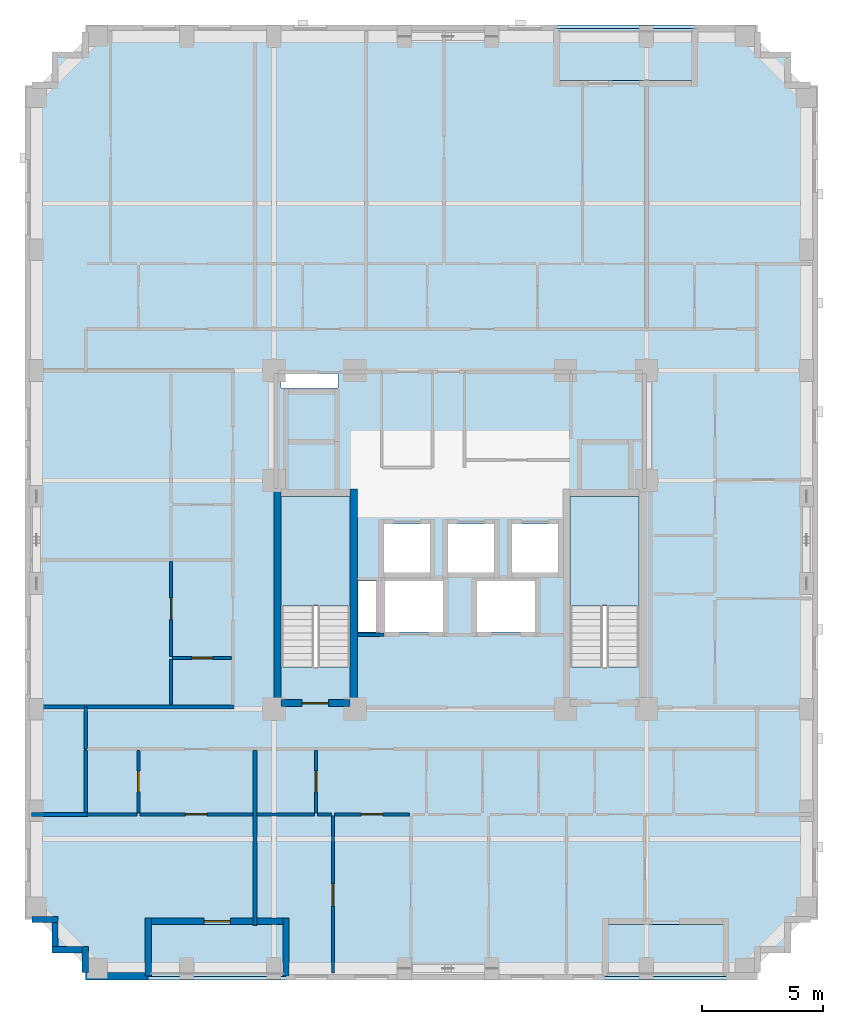
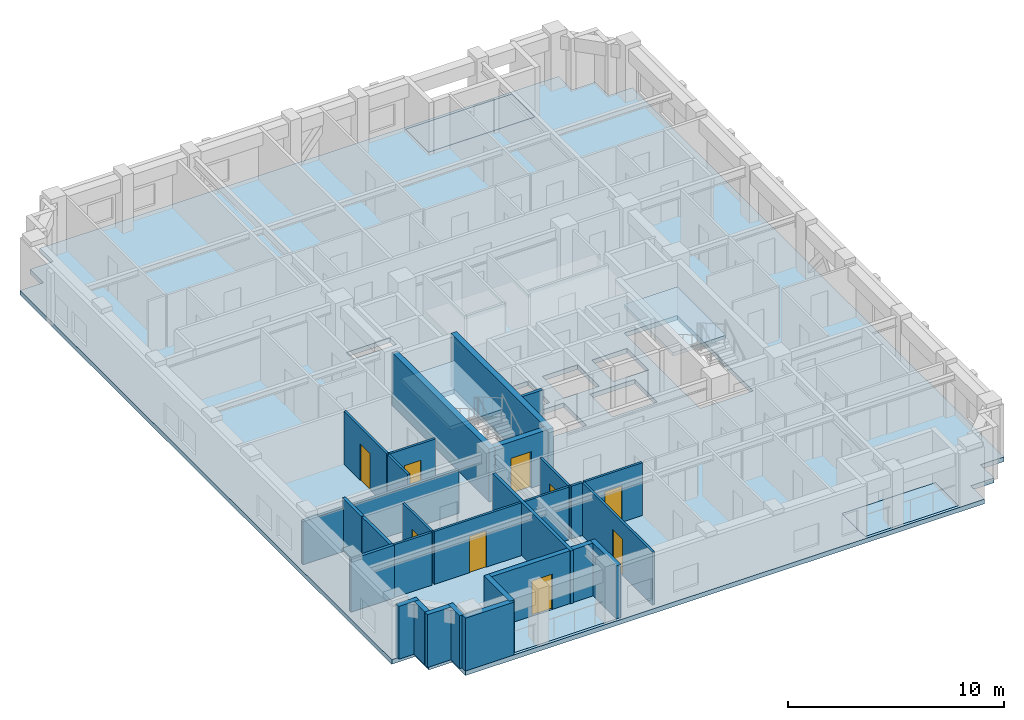
# One storey, part 2 of 11: 28 walls, 9 doors, 6 slabs, 9 openings, 2 elements without a shape of their own.
"""IFC4 building model written with IfcOpenShell, lengths in metres."""

from ifc_helpers import new_model, si_unit, derived_unit, direction, frame, frame_2d, origin, place, context, subcontext, project, spatial, polyline, rectangle, outline, extrude, material, layer, layer_set, type_object, element, fill, aggregate, save


model = new_model("IFC4")

# Units and contexts
model_context = context("Model", 3, precision=1e-05, world=origin(), true_north=direction((0.0, 1.0)))
body_context = subcontext(model_context, "Body", "Model", "MODEL_VIEW")
ifc_project = project(units=[si_unit("LENGTHUNIT", "METRE"), si_unit("AREAUNIT", "SQUARE_METRE"), si_unit("VOLUMEUNIT", "CUBIC_METRE"), si_unit("PLANEANGLEUNIT", "RADIAN"), si_unit("MASSUNIT", "GRAM", prefix="KILO"), derived_unit("THERMALTRANSMITTANCEUNIT", [(si_unit("MASSUNIT", "GRAM", prefix="KILO"), 1), (si_unit("TIMEUNIT", "SECOND"), -3), (si_unit("THERMODYNAMICTEMPERATUREUNIT", "KELVIN"), -1)])], contexts=[model_context])

# Site, building, storey
site_placement = place(None, origin())
site = spatial("IfcSite", under=ifc_project, at=site_placement, CompositionType="ELEMENT")
building_placement = place(site_placement, origin())
building = spatial("IfcBuilding", under=site, at=building_placement, Name="Korrvale Station Residences", CompositionType="ELEMENT")
storey_placement = place(building_placement, frame((0.0, 0.0, 147.14990234375)))
storey = spatial("IfcBuildingStorey", under=building, at=storey_placement, Name="L42", CompositionType="ELEMENT", Elevation=147.14990234375)

# Slabs
ifc_material_1 = material(Name="Concrete C50/60", Category="concrete")
ifc_layer_1 = layer(ifc_material_1, 0.219970703125, Name="Concrete C50/60")
ifc_layer_set_1 = layer_set([ifc_layer_1], Name="Concrete C50/60")
slab_type_1 = type_object("IfcSlabType", Name="SLB-BAL-220", PredefinedType="FLOOR", material=ifc_layer_set_1)
slab_1_placement = place(storey_placement, frame((0.0, 0.0, -0.219970703125)))
element("IfcSlab", 1, at=slab_1_placement, inside=storey, type_object=slab_type_1, Name="L42 Recessed Loggia Balcony Slab BAL-L42-S1", PredefinedType="FLOOR", context=body_context, shape_type="SweptSolid", body=[
    extrude(outline(polyline([(12.60009765625, 3.949951171875), (18.300048828125, 3.949951171875), (18.300048828125, 6.10009765625), (12.60009765625, 6.10009765625), (12.60009765625, 3.949951171875)])), origin(), (0.0, 0.0, 1.0), 0.219970703125),
])
slab_2_placement = place(storey_placement, frame((0.0, 0.0, -0.219970703125)))
element("IfcSlab", 2, at=slab_2_placement, inside=storey, type_object=slab_type_1, Name="L42 Recessed Loggia Balcony Slab BAL-L42-N1", PredefinedType="FLOOR", context=body_context, shape_type="SweptSolid", body=[
    extrude(outline(polyline([(29.5, 41.0), (35.199951171875, 41.0), (35.199951171875, 43.14990234375), (29.5, 43.14990234375), (29.5, 41.0)])), origin(), (0.0, 0.0, 1.0), 0.219970703125),
])
slab_3_placement = place(storey_placement, frame((0.0, 0.0, -0.219970703125)))
element("IfcSlab", 3, at=slab_3_placement, inside=storey, type_object=slab_type_1, Name="L42 Recessed Loggia Balcony Slab BAL-L42-S2", PredefinedType="FLOOR", context=body_context, shape_type="SweptSolid", body=[
    extrude(outline(polyline([(31.5, 3.949951171875), (36.5, 3.949951171875), (36.5, 6.10009765625), (31.5, 6.10009765625), (31.5, 3.949951171875)])), origin(), (0.0, 0.0, 1.0), 0.219970703125),
])
ifc_layer_2 = layer(ifc_material_1, 0.260009765625, Name="Concrete C50/60")
ifc_layer_set_2 = layer_set([ifc_layer_2], Name="Concrete C50/60")
slab_type_2 = type_object("IfcSlabType", Name="SLB-FLR-260", PredefinedType="FLOOR", material=ifc_layer_set_2)
slab_4_placement = place(storey_placement, frame((0.0, 0.0, -0.260009765625)))
element("IfcSlab", 4, at=slab_4_placement, inside=storey, type_object=slab_type_2, Name="L42 Suspended Structural Floor Slab", PredefinedType="FLOOR", context=body_context, shape_type="SweptSolid", body=[
    extrude(outline(polyline([(10.0, 3.800048828125), (37.800048828125, 3.800048828125), (37.800048828125, 5.050048828125), (39.050048828125, 5.050048828125), (39.050048828125, 6.300048828125), (40.300048828125, 6.300048828125), (40.300048828125, 40.800048828125), (39.050048828125, 40.800048828125), (39.050048828125, 42.050048828125), (37.800048828125, 42.050048828125), (37.800048828125, 43.300048828125), (10.0, 43.300048828125), (10.0, 42.050048828125), (8.75, 42.050048828125), (8.75, 40.800048828125), (7.5, 40.800048828125), (7.5, 6.300048828125), (8.75, 6.300048828125), (8.75, 5.050048828125), (10.0, 5.050048828125), (10.0, 3.800048828125)]), holes=[polyline([(20.949951171875, 16.751953125), (20.949951171875, 23.800048828125), (18.10009765625, 23.800048828125), (18.10009765625, 16.751953125), (20.949951171875, 16.751953125)]), polyline([(32.89990234375, 16.751953125), (32.89990234375, 23.800048828125), (30.050048828125, 23.800048828125), (30.050048828125, 16.751953125), (32.89990234375, 16.751953125)]), polyline([(22.35009765625, 20.64990234375), (24.25, 20.64990234375), (24.25, 22.64990234375), (22.35009765625, 22.64990234375), (22.35009765625, 20.64990234375)]), polyline([(25.0, 20.64990234375), (26.89990234375, 20.64990234375), (26.89990234375, 22.64990234375), (25.0, 22.64990234375), (25.0, 20.64990234375)]), polyline([(27.64990234375, 20.64990234375), (29.550048828125, 20.64990234375), (29.550048828125, 22.64990234375), (27.64990234375, 22.64990234375), (27.64990234375, 20.64990234375)]), polyline([(22.39990234375, 18.199951171875), (24.800048828125, 18.199951171875), (24.800048828125, 20.300048828125), (22.39990234375, 20.300048828125), (22.39990234375, 18.199951171875)]), polyline([(26.199951171875, 18.199951171875), (28.60009765625, 18.199951171875), (28.60009765625, 20.300048828125), (26.199951171875, 20.300048828125), (26.199951171875, 18.199951171875)]), polyline([(18.10009765625, 28.280029296875), (20.449951171875, 28.280029296875), (20.449951171875, 28.8798828125), (18.10009765625, 28.8798828125), (18.10009765625, 28.280029296875)]), polyline([(21.280029296875, 18.199951171875), (22.02001953125, 18.199951171875), (22.02001953125, 20.300048828125), (21.280029296875, 20.300048828125), (21.280029296875, 18.199951171875)]), polyline([(12.60009765625, 3.949951171875), (18.300048828125, 3.949951171875), (18.300048828125, 6.10009765625), (12.60009765625, 6.10009765625), (12.60009765625, 3.949951171875)]), polyline([(29.5, 41.0), (35.199951171875, 41.0), (35.199951171875, 43.14990234375), (29.5, 43.14990234375), (29.5, 41.0)]), polyline([(31.5, 3.949951171875), (36.5, 3.949951171875), (36.5, 6.10009765625), (31.5, 6.10009765625), (31.5, 3.949951171875)])]), origin(), (0.0, 0.0, 1.0), 0.260009765625),
])

# Stair, slab
stair_type = type_object("IfcStairType", Name="STR-DL-1350-20R-1625", PredefinedType="HALF_TURN_STAIR", material=ifc_material_1)
stair_1_placement = place(storey_placement, origin())
stair_1 = element("IfcStair", 5, at=stair_1_placement, inside=storey, type_object=stair_type, Name="L42 Exit Stair 1", PredefinedType="HALF_TURN_STAIR")
ifc_layer_3 = layer(ifc_material_1, 0.199951171875, Name="Concrete C50/60")
ifc_layer_set_3 = layer_set([ifc_layer_3], Name="Concrete C50/60")
slab_type_3 = type_object("IfcSlabType", Name="SLB-LND-200", PredefinedType="LANDING", material=ifc_layer_set_3)
slab_5_placement = place(storey_placement, frame((0.0, 0.0, 1.425048828125)))
slab_5 = element("IfcSlab", 6, at=slab_5_placement, type_object=slab_type_3, Name="ST-1 landing 1", PredefinedType="LANDING", context=body_context, shape_type="SweptSolid", body=[
    extrude(outline(polyline([(20.949951171875, 19.27001953125), (20.949951171875, 23.800048828125), (18.10009765625, 23.800048828125), (18.10009765625, 19.27001953125), (20.949951171875, 19.27001953125)])), origin(), (0.0, 0.0, 1.0), 0.199951171875),
])
aggregate(stair_1, [slab_5])

stair_2_placement = place(storey_placement, origin())
stair_2 = element("IfcStair", 7, at=stair_2_placement, inside=storey, type_object=stair_type, Name="L42 Exit Stair 2", PredefinedType="HALF_TURN_STAIR")
slab_6_placement = place(storey_placement, frame((0.0, 0.0, 1.425048828125)))
slab_6 = element("IfcSlab", 8, at=slab_6_placement, type_object=slab_type_3, Name="ST-2 landing 1", PredefinedType="LANDING", context=body_context, shape_type="SweptSolid", body=[
    extrude(outline(polyline([(32.89990234375, 19.27001953125), (32.89990234375, 23.800048828125), (30.050048828125, 23.800048828125), (30.050048828125, 19.27001953125), (32.89990234375, 19.27001953125)])), origin(), (0.0, 0.0, 1.0), 0.199951171875),
])
aggregate(stair_2, [slab_6])

# Walls
ifc_material_2 = material(Name="Concrete C60/75", Category="concrete")
ifc_layer_4 = layer(ifc_material_2, 0.300048828125, Name="Concrete C60/75")
ifc_layer_set_4 = layer_set([ifc_layer_4], Name="Concrete C60/75")
wall_type_1 = type_object("IfcWallType", Name="WAL-CORE-300-C60", PredefinedType="SHEAR", material=ifc_layer_set_4)
for number, where, z_axis, x_axis, name in (
    (9, (17.949951171875, 15.10009765625, 0.0), (0.0, 0.0, 1.0), (0.0, 1.0, 0.0), "L42 ST-1 Core Shear Wall West"),
    (10, (21.10009765625, 15.10009765625, 0.0), (0.0, 0.0, 1.0), (0.0, 1.0, 0.0), "L42 ST-1 Core Shear Wall East"),
):
    element("IfcWall", number, at=place(storey_placement, frame(where, z_axis=z_axis, x_axis=x_axis)), inside=storey, type_object=wall_type_1, Name=name, PredefinedType="SHEAR", context=body_context, shape_type="SweptSolid", body=[
        extrude(rectangle(XDim=9.0, YDim=0.300048828125, at=frame_2d((4.5, 0.0))), origin(), (0.0, 0.0, 1.0), 2.989990234375),
    ])

# Wall, opening, door
wall_1_placement = place(storey_placement, frame((18.10009765625, 15.25, 0.0), z_axis=(0.0, 0.0, 1.0), x_axis=(1.0, 0.0, 0.0)))
wall_1 = element("IfcWall", 11, at=wall_1_placement, inside=storey, type_object=wall_type_1, Name="L42 ST-1 Core Shear Wall South", PredefinedType="SHEAR", context=body_context, shape_type="SweptSolid", body=[
    extrude(rectangle(XDim=2.849853515625, YDim=0.300048828125, at=frame_2d((1.4248046875, 0.0))), origin(), (0.0, 0.0, 1.0), 2.989990234375),
])
opening_1_placement = place(wall_1_placement, frame((0.860107421875, 0.0, 0.0)))
opening_1 = element("IfcOpeningElement", 12, at=opening_1_placement, cuts=wall_1, Name="Opening SD-1100", PredefinedType="OPENING", context=body_context, shape_type="SweptSolid", body=[
    extrude(rectangle(XDim=1.10009765625, YDim=2.050048828125, at=frame_2d((0.550048828125, 1.02490234375))), frame((0.0, 0.16015625, 0.0), z_axis=(0.0, -1.0, 0.0), x_axis=(1.0, 0.0, 0.0)), (0.0, 0.0, 1.0), 0.320068359375),
])
ifc_material_3 = material(Name="Hollow-metal fire-rated stair door with closer", Category="steel")
door_type_1 = type_object("IfcDoorType", Name="DR-STAIR-1100", OperationType="NOTDEFINED", PredefinedType="DOOR", material=ifc_material_3)
door_1_placement = place(opening_1_placement, origin())
door_1 = element("IfcDoor", 13, at=door_1_placement, inside=storey, type_object=door_type_1, Name="L42 ST-1 Exit Stair Door", OperationType="SINGLE_SWING_LEFT", OverallHeight=2.050048828125, OverallWidth=1.10009765625, PredefinedType="DOOR", context=body_context, shape_type="SweptSolid", body=[
    extrude(rectangle(XDim=1.10009765625, YDim=2.050048828125, at=frame_2d((0.550048828125, 1.02490234375))), frame((0.0, 0.02490234375, 0.0), z_axis=(0.0, -1.0, 0.0), x_axis=(1.0, 0.0, 0.0)), (0.0, 0.0, 1.0), 0.050048828125),
])
fill(opening_1, door_1)

# Wall
ifc_material_4 = material(Name="Precast concrete C45/55", Category="concrete")
ifc_layer_5 = layer(ifc_material_4, 0.260009765625, Name="Precast concrete C45/55")
ifc_layer_set_5 = layer_set([ifc_layer_5], Name="Precast concrete C45/55")
wall_type_2 = type_object("IfcWallType", Name="WAL-EXT-LOG260", PredefinedType="SOLIDWALL", material=ifc_layer_set_5)
wall_2_placement = place(storey_placement, frame((18.300048828125, 3.9599609375, 0.0), z_axis=(0.0, 0.0, 1.0), x_axis=(0.0, 1.0, 0.0)))
element("IfcWall", 14, at=wall_2_placement, inside=storey, type_object=wall_type_2, Name="L42 Recessed Loggia Wall BAL-L42-S1-L", PredefinedType="SOLIDWALL", context=body_context, shape_type="SweptSolid", body=[
    extrude(rectangle(XDim=2.400146484375, YDim=0.260009765625, at=frame_2d((1.2001953125, 0.0))), origin(), (0.0, 0.0, 1.0), 2.989990234375),
])

# Wall, opening, door
wall_3_placement = place(storey_placement, frame((18.166015625, 6.22998046875, 0.0), z_axis=(0.0, 0.0, 1.0), x_axis=(-1.0, 0.0, 0.0)))
wall_3 = element("IfcWall", 15, at=wall_3_placement, inside=storey, type_object=wall_type_2, Name="L42 Recessed Loggia Wall BAL-L42-S1-B", PredefinedType="SOLIDWALL", context=body_context, shape_type="SweptSolid", body=[
    extrude(rectangle(XDim=5.43212890625, YDim=0.260009765625, at=frame_2d((2.716064453125, 0.0))), origin(), (0.0, 0.0, 1.0), 2.989990234375),
])
opening_2_placement = place(wall_3_placement, frame((2.166015625, 0.0, 0.0)))
opening_2 = element("IfcOpeningElement", 16, at=opening_2_placement, cuts=wall_3, Name="Opening BD-01", PredefinedType="OPENING", context=body_context, shape_type="SweptSolid", body=[
    extrude(rectangle(XDim=1.10009765625, YDim=2.0, at=frame_2d((0.550048828125, 1.0))), frame((0.0, 0.14013671875, 0.0), z_axis=(0.0, -1.0, 0.0), x_axis=(1.0, 0.0, 0.0)), (0.0, 0.0, 1.0), 0.280029296875),
])
ifc_material_5 = material(Name="Exterior thermally broken aluminium glazed balcony door", Category="aluminium")
door_type_2 = type_object("IfcDoorType", Name="DR-EXT-BAL", OperationType="NOTDEFINED", PredefinedType="DOOR", material=ifc_material_5)
door_2_placement = place(opening_2_placement, origin())
door_2 = element("IfcDoor", 17, at=door_2_placement, inside=storey, type_object=door_type_2, Name="L42 Loggia Balcony Door BAL-L42-S1", OperationType="SINGLE_SWING_LEFT", OverallHeight=2.0, OverallWidth=1.10009765625, PredefinedType="DOOR", context=body_context, shape_type="SweptSolid", body=[
    extrude(rectangle(XDim=1.10009765625, YDim=2.0, at=frame_2d((0.550048828125, 1.0))), frame((0.0, 0.02490234375, 0.0), z_axis=(0.0, -1.0, 0.0), x_axis=(1.0, 0.0, 0.0)), (0.0, 0.0, 1.0), 0.050048828125),
])
fill(opening_2, door_2)

# Walls
wall_4_placement = place(storey_placement, frame((12.60009765625, 6.360107421875, 0.0), z_axis=(0.0, 0.0, 1.0), x_axis=(0.0, -1.0, 0.0)))
element("IfcWall", 18, at=wall_4_placement, inside=storey, type_object=wall_type_2, Name="L42 Recessed Loggia Wall BAL-L42-S1-R", PredefinedType="SOLIDWALL", context=body_context, shape_type="SweptSolid", body=[
    extrude(rectangle(XDim=2.400146484375, YDim=0.260009765625, at=frame_2d((1.2001953125, 0.0))), origin(), (0.0, 0.0, 1.0), 2.989990234375),
])
wall_5_placement = place(storey_placement, frame((10.0, 4.10205078125, 0.0), z_axis=(0.0, 0.0, 1.0), x_axis=(0.0, 1.0, 0.0)))
element("IfcWall", 19, at=wall_5_placement, inside=storey, type_object=wall_type_2, Name="L42 Serrated Corner Precast Step SW-1", PredefinedType="SOLIDWALL", context=body_context, shape_type="SweptSolid", body=[
    extrude(rectangle(XDim=1.077880859375, YDim=0.260009765625, at=frame_2d((0.5390625, 0.0))), origin(), (0.0, 0.0, 1.0), 2.989990234375),
])
wall_6_placement = place(storey_placement, frame((9.867919921875, 5.050048828125, 0.0), z_axis=(0.0, 0.0, 1.0), x_axis=(-1.0, 0.0, 0.0)))
element("IfcWall", 20, at=wall_6_placement, inside=storey, type_object=wall_type_2, Name="L42 Serrated Corner Precast Step SW-2", PredefinedType="SOLIDWALL", context=body_context, shape_type="SweptSolid", body=[
    extrude(rectangle(XDim=1.247802734375, YDim=0.260009765625, at=frame_2d((0.6240234375, 0.0))), origin(), (0.0, 0.0, 1.0), 2.989990234375),
])
wall_7_placement = place(storey_placement, frame((8.75, 5.181884765625, 0.0), z_axis=(0.0, 0.0, 1.0), x_axis=(0.0, 1.0, 0.0)))
element("IfcWall", 21, at=wall_7_placement, inside=storey, type_object=wall_type_2, Name="L42 Serrated Corner Precast Step SW-3", PredefinedType="SOLIDWALL", context=body_context, shape_type="SweptSolid", body=[
    extrude(rectangle(XDim=0.986083984375, YDim=0.260009765625, at=frame_2d((0.4931640625, 0.0))), origin(), (0.0, 0.0, 1.0), 2.989990234375),
])
wall_8_placement = place(storey_placement, frame((8.8798828125, 6.300048828125, 0.0), z_axis=(0.0, 0.0, 1.0), x_axis=(-1.0, 0.0, 0.0)))
element("IfcWall", 22, at=wall_8_placement, inside=storey, type_object=wall_type_2, Name="L42 Serrated Corner Precast Step SW-4", PredefinedType="SOLIDWALL", context=body_context, shape_type="SweptSolid", body=[
    extrude(rectangle(XDim=1.077880859375, YDim=0.260009765625, at=frame_2d((0.5390625, 0.0))), origin(), (0.0, 0.0, 1.0), 2.989990234375),
])
ifc_layer_6 = layer(ifc_material_4, 0.300048828125, Name="Precast concrete C45/55")
ifc_layer_set_6 = layer_set([ifc_layer_6], Name="Precast concrete C45/55")
wall_type_3 = type_object("IfcWallType", Name="WAL-EXT-PC300", PredefinedType="SOLIDWALL", material=ifc_layer_set_6)
wall_9_placement = place(storey_placement, frame((12.60009765625, 3.949951171875, 0.0), z_axis=(0.0, 0.0, 1.0), x_axis=(-1.0, 0.0, 0.0)))
element("IfcWall", 23, at=wall_9_placement, inside=storey, type_object=wall_type_3, Name="L42 South Exterior Precast Wall 3", PredefinedType="SOLIDWALL", context=body_context, shape_type="SweptSolid", body=[
    extrude(rectangle(XDim=2.60009765625, YDim=0.300048828125, at=frame_2d((1.300048828125, 0.0))), origin(), (0.0, 0.0, 1.0), 2.989990234375),
])

# Wall, opening, door
ifc_material_6 = material(Name="Acoustic steel-stud gypsum board partition", Category="steel")
ifc_layer_7 = layer(ifc_material_6, 0.1201171875, Name="Acoustic steel-stud gypsum board partition")
ifc_layer_set_7 = layer_set([ifc_layer_7], Name="Acoustic steel-stud gypsum board partition")
wall_type_4 = type_object("IfcWallType", Name="WAL-PART-125", PredefinedType="PARTITIONING", material=ifc_layer_set_7)
wall_10_placement = place(storey_placement, frame((12.193115234375, 10.7099609375, 0.0), z_axis=(0.0, 0.0, 1.0), x_axis=(0.0, 1.0, 0.0)))
wall_10 = element("IfcWall", 24, at=wall_10_placement, inside=storey, type_object=wall_type_4, Name="L42 Suite Partition U01-V01", PredefinedType="PARTITIONING", context=body_context, shape_type="SweptSolid", body=[
    extrude(rectangle(XDim=2.60009765625, YDim=0.1201171875, at=frame_2d((1.300048828125, 0.0))), origin(), (0.0, 0.0, 1.0), 2.989990234375),
])
opening_3_placement = place(wall_10_placement, frame((0.8701171875, 0.0, 0.0)))
opening_3 = element("IfcOpeningElement", 25, at=opening_3_placement, cuts=wall_10, Name="Opening DB-860", PredefinedType="OPENING", context=body_context, shape_type="SweptSolid", body=[
    extrude(rectangle(XDim=0.860107421875, YDim=2.050048828125, at=frame_2d((0.43017578125, 1.02490234375))), frame((0.0, 0.070068359375, 0.0), z_axis=(0.0, -1.0, 0.0), x_axis=(1.0, 0.0, 0.0)), (0.0, 0.0, 1.0), 0.14013671875),
])
ifc_material_7 = material(Name="Moisture-resistant solid-core bathroom door", Category="timber")
door_type_3 = type_object("IfcDoorType", Name="DR-BATH-860", OperationType="NOTDEFINED", PredefinedType="DOOR", material=ifc_material_7)
door_3_placement = place(opening_3_placement, origin())
door_3 = element("IfcDoor", 26, at=door_3_placement, inside=storey, type_object=door_type_3, Name="L42 Studio Apartment L42-U01 Bathroom Door", OperationType="SINGLE_SWING_RIGHT", OverallHeight=2.050048828125, OverallWidth=0.860107421875, PredefinedType="DOOR", context=body_context, shape_type="SweptSolid", body=[
    extrude(rectangle(XDim=0.860107421875, YDim=2.050048828125, at=frame_2d((0.43017578125, 1.02490234375))), frame((0.0, 0.02490234375, 0.0), z_axis=(0.0, -1.0, 0.0), x_axis=(1.0, 0.0, 0.0)), (0.0, 0.0, 1.0), 0.050048828125),
])
fill(opening_3, door_3)

# Wall
wall_11_placement = place(storey_placement, frame((10.080078125, 10.64990234375, 0.0), z_axis=(0.0, 0.0, 1.0), x_axis=(1.0, 0.0, 0.0)))
element("IfcWall", 27, at=wall_11_placement, inside=storey, type_object=wall_type_4, Name="L42 Suite Partition U01-H02", PredefinedType="PARTITIONING", context=body_context, shape_type="SweptSolid", body=[
    extrude(rectangle(XDim=2.052978515625, YDim=0.1201171875, at=frame_2d((1.0263671875, 0.0))), origin(), (0.0, 0.0, 1.0), 2.989990234375),
])

# Wall, opening, door
wall_12_placement = place(storey_placement, frame((12.2529296875, 10.64990234375, 0.0), z_axis=(0.0, 0.0, 1.0), x_axis=(1.0, 0.0, 0.0)))
wall_12 = element("IfcWall", 28, at=wall_12_placement, inside=storey, type_object=wall_type_4, Name="L42 Suite Partition U01-H12", PredefinedType="PARTITIONING", context=body_context, shape_type="SweptSolid", body=[
    extrude(rectangle(XDim=4.671142578125, YDim=0.1201171875, at=frame_2d((2.33544921875, 0.0))), origin(), (0.0, 0.0, 1.0), 2.989990234375),
])
opening_4_placement = place(wall_12_placement, frame((1.885009765625, 0.0, 0.0)))
opening_4 = element("IfcOpeningElement", 29, at=opening_4_placement, cuts=wall_12, Name="Opening DI-900", PredefinedType="OPENING", context=body_context, shape_type="SweptSolid", body=[
    extrude(rectangle(XDim=0.89990234375, YDim=2.050048828125, at=frame_2d((0.449951171875, 1.02490234375))), frame((0.0, 0.070068359375, 0.0), z_axis=(0.0, -1.0, 0.0), x_axis=(1.0, 0.0, 0.0)), (0.0, 0.0, 1.0), 0.14013671875),
])
ifc_material_8 = material(Name="Painted solid-core timber interior room door", Category="wood")
door_type_4 = type_object("IfcDoorType", Name="DR-INT-900", OperationType="NOTDEFINED", PredefinedType="DOOR", material=ifc_material_8)
door_4_placement = place(opening_4_placement, origin())
door_4 = element("IfcDoor", 30, at=door_4_placement, inside=storey, type_object=door_type_4, Name="L42 Studio Apartment L42-U01 Kitchen Door", OperationType="SINGLE_SWING_LEFT", OverallHeight=2.050048828125, OverallWidth=0.89990234375, PredefinedType="DOOR", context=body_context, shape_type="SweptSolid", body=[
    extrude(rectangle(XDim=0.89990234375, YDim=2.050048828125, at=frame_2d((0.449951171875, 1.02490234375))), frame((0.0, 0.02490234375, 0.0), z_axis=(0.0, -1.0, 0.0), x_axis=(1.0, 0.0, 0.0)), (0.0, 0.0, 1.0), 0.050048828125),
])
fill(opening_4, door_4)

wall_13_placement = place(storey_placement, frame((19.5439453125, 10.7099609375, 0.0), z_axis=(0.0, 0.0, 1.0), x_axis=(0.0, 1.0, 0.0)))
wall_13 = element("IfcWall", 31, at=wall_13_placement, inside=storey, type_object=wall_type_4, Name="L42 Suite Partition U02-V01", PredefinedType="PARTITIONING", context=body_context, shape_type="SweptSolid", body=[
    extrude(rectangle(XDim=2.60009765625, YDim=0.1201171875, at=frame_2d((1.300048828125, 0.0))), origin(), (0.0, 0.0, 1.0), 2.989990234375),
])
opening_5_placement = place(wall_13_placement, frame((0.8701171875, 0.0, 0.0)))
opening_5 = element("IfcOpeningElement", 32, at=opening_5_placement, cuts=wall_13, Name="Opening DB-860", PredefinedType="OPENING", context=body_context, shape_type="SweptSolid", body=[
    extrude(rectangle(XDim=0.860107421875, YDim=2.050048828125, at=frame_2d((0.43017578125, 1.02490234375))), frame((0.0, 0.070068359375, 0.0), z_axis=(0.0, -1.0, 0.0), x_axis=(1.0, 0.0, 0.0)), (0.0, 0.0, 1.0), 0.14013671875),
])
door_5_placement = place(opening_5_placement, origin())
door_5 = element("IfcDoor", 33, at=door_5_placement, inside=storey, type_object=door_type_3, Name="L42 Studio Apartment L42-U02 Bathroom Door", OperationType="SINGLE_SWING_RIGHT", OverallHeight=2.050048828125, OverallWidth=0.860107421875, PredefinedType="DOOR", context=body_context, shape_type="SweptSolid", body=[
    extrude(rectangle(XDim=0.860107421875, YDim=2.050048828125, at=frame_2d((0.43017578125, 1.02490234375))), frame((0.0, 0.02490234375, 0.0), z_axis=(0.0, -1.0, 0.0), x_axis=(1.0, 0.0, 0.0)), (0.0, 0.0, 1.0), 0.050048828125),
])
fill(opening_5, door_5)

# Walls
wall_14_placement = place(storey_placement, frame((17.083984375, 10.64990234375, 0.0), z_axis=(0.0, 0.0, 1.0), x_axis=(1.0, 0.0, 0.0)))
element("IfcWall", 34, at=wall_14_placement, inside=storey, type_object=wall_type_4, Name="L42 Suite Partition U02-H07", PredefinedType="PARTITIONING", context=body_context, shape_type="SweptSolid", body=[
    extrude(rectangle(XDim=2.39990234375, YDim=0.1201171875, at=frame_2d((1.199951171875, 0.0))), origin(), (0.0, 0.0, 1.0), 2.989990234375),
])
wall_15_placement = place(storey_placement, frame((19.60400390625, 10.64990234375, 0.0), z_axis=(0.0, 0.0, 1.0), x_axis=(1.0, 0.0, 0.0)))
element("IfcWall", 35, at=wall_15_placement, inside=storey, type_object=wall_type_4, Name="L42 Suite Partition U02-H17", PredefinedType="PARTITIONING", context=body_context, shape_type="SweptSolid", body=[
    extrude(rectangle(XDim=0.580078125, YDim=0.1201171875, at=frame_2d((0.2900390625, 0.0))), origin(), (0.0, 0.0, 1.0), 2.989990234375),
])

# Wall, opening, door
wall_16_placement = place(storey_placement, frame((20.303955078125, 10.64990234375, 0.0), z_axis=(0.0, 0.0, 1.0), x_axis=(1.0, 0.0, 0.0)))
wall_16 = element("IfcWall", 36, at=wall_16_placement, inside=storey, type_object=wall_type_4, Name="L42 Suite Partition U02-H18", PredefinedType="PARTITIONING", context=body_context, shape_type="SweptSolid", body=[
    extrude(rectangle(XDim=3.10009765625, YDim=0.1201171875, at=frame_2d((1.550048828125, 0.0))), origin(), (0.0, 0.0, 1.0), 2.989990234375),
])
opening_6_placement = place(wall_16_placement, frame((1.10009765625, 0.0, 0.0)))
opening_6 = element("IfcOpeningElement", 37, at=opening_6_placement, cuts=wall_16, Name="Opening DI-900", PredefinedType="OPENING", context=body_context, shape_type="SweptSolid", body=[
    extrude(rectangle(XDim=0.89990234375, YDim=2.050048828125, at=frame_2d((0.449951171875, 1.02490234375))), frame((0.0, 0.070068359375, 0.0), z_axis=(0.0, -1.0, 0.0), x_axis=(1.0, 0.0, 0.0)), (0.0, 0.0, 1.0), 0.14013671875),
])
door_6_placement = place(opening_6_placement, origin())
door_6 = element("IfcDoor", 38, at=door_6_placement, inside=storey, type_object=door_type_4, Name="L42 Studio Apartment L42-U02 Kitchen Door", OperationType="SINGLE_SWING_RIGHT", OverallHeight=2.050048828125, OverallWidth=0.89990234375, PredefinedType="DOOR", context=body_context, shape_type="SweptSolid", body=[
    extrude(rectangle(XDim=0.89990234375, YDim=2.050048828125, at=frame_2d((0.449951171875, 1.02490234375))), frame((0.0, 0.02490234375, 0.0), z_axis=(0.0, -1.0, 0.0), x_axis=(1.0, 0.0, 0.0)), (0.0, 0.0, 1.0), 0.050048828125),
])
fill(opening_6, door_6)

wall_17_placement = place(storey_placement, frame((20.243896484375, 4.080078125, 0.0), z_axis=(0.0, 0.0, 1.0), x_axis=(0.0, 1.0, 0.0)))
wall_17 = element("IfcWall", 39, at=wall_17_placement, inside=storey, type_object=wall_type_4, Name="L42 Suite Partition U02-V78", PredefinedType="PARTITIONING", context=body_context, shape_type="SweptSolid", body=[
    extrude(rectangle(XDim=6.510009765625, YDim=0.1201171875, at=frame_2d((3.2548828125, 0.0))), origin(), (0.0, 0.0, 1.0), 2.989990234375),
])
opening_7_placement = place(wall_17_placement, frame((2.7900390625, 0.0, 0.0)))
opening_7 = element("IfcOpeningElement", 40, at=opening_7_placement, cuts=wall_17, Name="Opening DI-900", PredefinedType="OPENING", context=body_context, shape_type="SweptSolid", body=[
    extrude(rectangle(XDim=0.89990234375, YDim=2.050048828125, at=frame_2d((0.449951171875, 1.02490234375))), frame((0.0, 0.070068359375, 0.0), z_axis=(0.0, -1.0, 0.0), x_axis=(1.0, 0.0, 0.0)), (0.0, 0.0, 1.0), 0.14013671875),
])
door_7_placement = place(opening_7_placement, origin())
door_7 = element("IfcDoor", 41, at=door_7_placement, inside=storey, type_object=door_type_4, Name="L42 Studio Apartment L42-U02 Formal Dining Room Door", OperationType="SINGLE_SWING_LEFT", OverallHeight=2.050048828125, OverallWidth=0.89990234375, PredefinedType="DOOR", context=body_context, shape_type="SweptSolid", body=[
    extrude(rectangle(XDim=0.89990234375, YDim=2.050048828125, at=frame_2d((0.449951171875, 1.02490234375))), frame((0.0, 0.02490234375, 0.0), z_axis=(0.0, -1.0, 0.0), x_axis=(1.0, 0.0, 0.0)), (0.0, 0.0, 1.0), 0.050048828125),
])
fill(opening_7, door_7)

wall_18_placement = place(storey_placement, frame((13.610107421875, 17.1201171875, 0.0), z_axis=(0.0, 0.0, 1.0), x_axis=(1.0, 0.0, 0.0)))
wall_18 = element("IfcWall", 42, at=wall_18_placement, inside=storey, type_object=wall_type_4, Name="L42 Suite Partition U07-H01", PredefinedType="PARTITIONING", context=body_context, shape_type="SweptSolid", body=[
    extrude(rectangle(XDim=2.449951171875, YDim=0.1201171875, at=frame_2d((1.22509765625, 0.0))), origin(), (0.0, 0.0, 1.0), 2.989990234375),
])
opening_8_placement = place(wall_18_placement, frame((0.794921875, 0.0, 0.0)))
opening_8 = element("IfcOpeningElement", 43, at=opening_8_placement, cuts=wall_18, Name="Opening DB-860", PredefinedType="OPENING", context=body_context, shape_type="SweptSolid", body=[
    extrude(rectangle(XDim=0.860107421875, YDim=2.050048828125, at=frame_2d((0.43017578125, 1.02490234375))), frame((0.0, 0.070068359375, 0.0), z_axis=(0.0, -1.0, 0.0), x_axis=(1.0, 0.0, 0.0)), (0.0, 0.0, 1.0), 0.14013671875),
])
door_8_placement = place(opening_8_placement, origin())
door_8 = element("IfcDoor", 44, at=door_8_placement, inside=storey, type_object=door_type_3, Name="L42 Apartment 1BR L42-U07 Bathroom Door", OperationType="SINGLE_SWING_RIGHT", OverallHeight=2.050048828125, OverallWidth=0.860107421875, PredefinedType="DOOR", context=body_context, shape_type="SweptSolid", body=[
    extrude(rectangle(XDim=0.860107421875, YDim=2.050048828125, at=frame_2d((0.43017578125, 1.02490234375))), frame((0.0, 0.02490234375, 0.0), z_axis=(0.0, -1.0, 0.0), x_axis=(1.0, 0.0, 0.0)), (0.0, 0.0, 1.0), 0.050048828125),
])
fill(opening_8, door_8)

# Wall
wall_19_placement = place(storey_placement, frame((13.550048828125, 15.2099609375, 0.0), z_axis=(0.0, 0.0, 1.0), x_axis=(0.0, 1.0, 0.0)))
element("IfcWall", 45, at=wall_19_placement, inside=storey, type_object=wall_type_4, Name="L42 Suite Partition U07-V02", PredefinedType="PARTITIONING", context=body_context, shape_type="SweptSolid", body=[
    extrude(rectangle(XDim=1.85009765625, YDim=0.1201171875, at=frame_2d((0.925048828125, 0.0))), origin(), (0.0, 0.0, 1.0), 2.989990234375),
])

# Wall, opening, door
wall_20_placement = place(storey_placement, frame((13.550048828125, 17.179931640625, 0.0), z_axis=(0.0, 0.0, 1.0), x_axis=(0.0, 1.0, 0.0)))
wall_20 = element("IfcWall", 46, at=wall_20_placement, inside=storey, type_object=wall_type_4, Name="L42 Suite Partition U07-V12", PredefinedType="PARTITIONING", context=body_context, shape_type="SweptSolid", body=[
    extrude(rectangle(XDim=3.946044921875, YDim=0.1201171875, at=frame_2d((1.97314453125, 0.0))), origin(), (0.0, 0.0, 1.0), 2.989990234375),
])
opening_9_placement = place(wall_20_placement, frame((1.52294921875, 0.0, 0.0)))
opening_9 = element("IfcOpeningElement", 47, at=opening_9_placement, cuts=wall_20, Name="Opening DI-900", PredefinedType="OPENING", context=body_context, shape_type="SweptSolid", body=[
    extrude(rectangle(XDim=0.89990234375, YDim=2.050048828125, at=frame_2d((0.449951171875, 1.02490234375))), frame((0.0, 0.070068359375, 0.0), z_axis=(0.0, -1.0, 0.0), x_axis=(1.0, 0.0, 0.0)), (0.0, 0.0, 1.0), 0.14013671875),
])
door_9_placement = place(opening_9_placement, origin())
door_9 = element("IfcDoor", 48, at=door_9_placement, inside=storey, type_object=door_type_4, Name="L42 Apartment 1BR L42-U07 Kitchen Door", OperationType="SINGLE_SWING_LEFT", OverallHeight=2.050048828125, OverallWidth=0.89990234375, PredefinedType="DOOR", context=body_context, shape_type="SweptSolid", body=[
    extrude(rectangle(XDim=0.89990234375, YDim=2.050048828125, at=frame_2d((0.449951171875, 1.02490234375))), frame((0.0, 0.02490234375, 0.0), z_axis=(0.0, -1.0, 0.0), x_axis=(1.0, 0.0, 0.0)), (0.0, 0.0, 1.0), 0.050048828125),
])
fill(opening_9, door_9)

# Walls
ifc_material_9 = material(Name="Fire-rated twin-stud gypsum and mineral wool shaftwall assembly", Category="gypsum")
ifc_layer_8 = layer(ifc_material_9, 0.159912109375, Name="Fire-rated twin-stud gypsum and mineral wool shaftwall assembly")
ifc_layer_set_8 = layer_set([ifc_layer_8], Name="Fire-rated twin-stud gypsum and mineral wool shaftwall assembly")
wall_type_5 = type_object("IfcWallType", Name="WAL-PART-200", PredefinedType="PARTITIONING", material=ifc_layer_set_8)
wall_21_placement = place(storey_placement, frame((21.25, 18.080078125, 0.0), z_axis=(0.0, 0.0, 1.0), x_axis=(1.0, 0.0, 0.0)))
element("IfcWall", 49, at=wall_21_placement, inside=storey, type_object=wall_type_5, Name="L42 Core Partition CW-FFL-N1", PredefinedType="PARTITIONING", context=body_context, shape_type="SweptSolid", body=[
    extrude(rectangle(XDim=1.10009765625, YDim=0.159912109375, at=frame_2d((0.550048828125, 0.0))), origin(), (0.0, 0.0, 1.0), 2.989990234375),
])
wall_22_placement = place(storey_placement, frame((10.02001953125, 13.35009765625, 0.0), z_axis=(0.0, 0.0, 1.0), x_axis=(0.0, 1.0, 0.0)))
element("IfcWall", 50, at=wall_22_placement, inside=storey, type_object=wall_type_5, Name="L42 Corridor South West Cap", PredefinedType="PARTITIONING", context=body_context, shape_type="SweptSolid", body=[
    extrude(rectangle(XDim=1.739990234375, YDim=0.159912109375, at=frame_2d((0.8701171875, 0.0))), origin(), (0.0, 0.0, 1.0), 2.989990234375),
])
wall_23_placement = place(storey_placement, frame((7.780029296875, 15.090087890625, 0.0), z_axis=(0.0, 0.0, 1.0), x_axis=(1.0, 0.0, 0.0)))
element("IfcWall", 51, at=wall_23_placement, inside=storey, type_object=wall_type_5, Name="L42 West Wing South Corridor Wall", PredefinedType="PARTITIONING", context=body_context, shape_type="SweptSolid", body=[
    extrude(rectangle(XDim=8.35986328125, YDim=0.159912109375, at=frame_2d((4.179931640625, 0.0))), origin(), (0.0, 0.0, 1.0), 2.442138671875),
])
wall_24_placement = place(storey_placement, frame((7.780029296875, 10.64990234375, 0.0), z_axis=(0.0, 0.0, 1.0), x_axis=(1.0, 0.0, 0.0)))
element("IfcWall", 52, at=wall_24_placement, inside=storey, type_object=wall_type_5, Name="L42 Corner Step Wall U01-L", PredefinedType="PARTITIONING", context=body_context, shape_type="SweptSolid", body=[
    extrude(rectangle(XDim=2.340087890625, YDim=0.159912109375, at=frame_2d((1.169921875, 0.0))), origin(), (0.0, 0.0, 1.0), 2.989990234375),
])
wall_25_placement = place(storey_placement, frame((10.02001953125, 10.64990234375, 0.0), z_axis=(0.0, 0.0, 1.0), x_axis=(0.0, 1.0, 0.0)))
element("IfcWall", 53, at=wall_25_placement, inside=storey, type_object=wall_type_5, Name="L42 Corner Step Cheek U01-L", PredefinedType="PARTITIONING", context=body_context, shape_type="SweptSolid", body=[
    extrude(rectangle(XDim=2.66015625, YDim=0.159912109375, at=frame_2d((1.330078125, 0.0))), origin(), (0.0, 0.0, 1.0), 2.989990234375),
])
wall_26_placement = place(storey_placement, frame((17.02392578125, 6.06005859375, 0.0), z_axis=(0.0, 0.0, 1.0), x_axis=(0.0, 1.0, 0.0)))
element("IfcWall", 54, at=wall_26_placement, inside=storey, type_object=wall_type_5, Name="L42 Demising Wall U02-W", PredefinedType="PARTITIONING", context=body_context, shape_type="SweptSolid", body=[
    extrude(rectangle(XDim=7.25, YDim=0.159912109375, at=frame_2d((3.625, 0.0))), origin(), (0.0, 0.0, 1.0), 2.989990234375),
])

save(model, "model.ifc")
